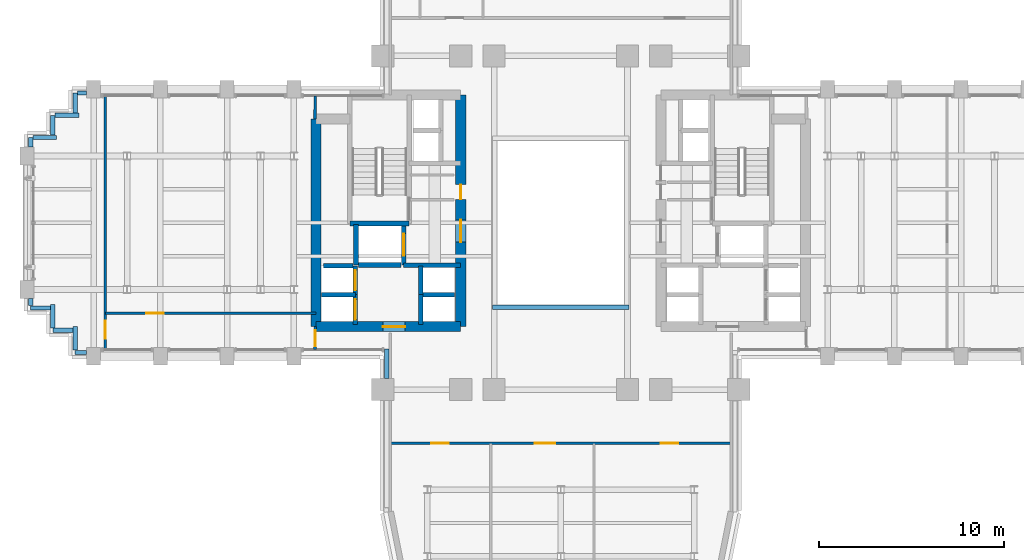
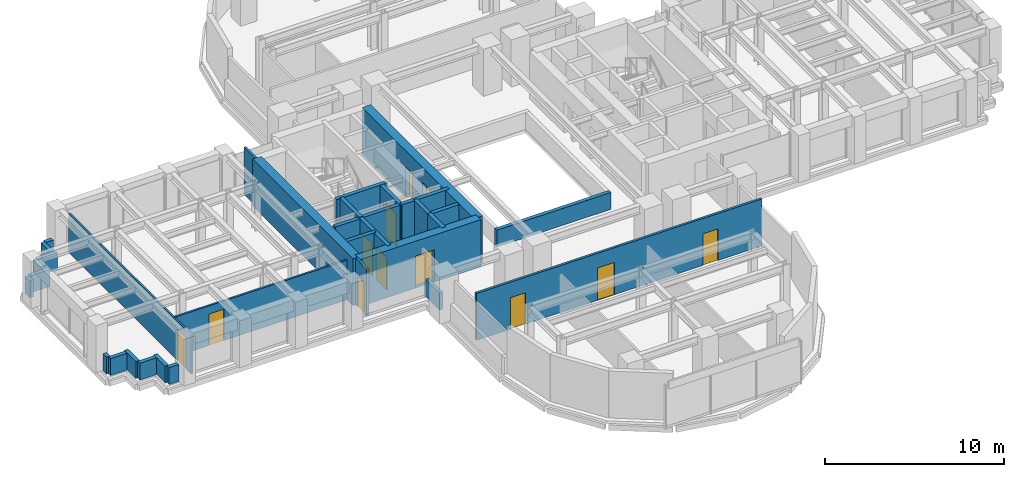
# One storey, part 10 of 16: 34 walls, 12 doors, 12 openings.
"""IFC4 building model written with IfcOpenShell, lengths in metres."""

from ifc_helpers import new_model, si_unit, direction, frame, frame_2d, origin, place, context, subcontext, project, spatial, rectangle, extrude, source, transform, mapped, material, layer, layer_set, type_object, element, fill, save


model = new_model("IFC4")

# Units and contexts
model_context = context("Model", 3, precision=1e-05, world=origin(), true_north=direction((0.0, 1.0)))
body_context = subcontext(model_context, "Body", "Model", "MODEL_VIEW")
ifc_project = project(units=[si_unit("LENGTHUNIT", "METRE"), si_unit("AREAUNIT", "SQUARE_METRE"), si_unit("VOLUMEUNIT", "CUBIC_METRE"), si_unit("PLANEANGLEUNIT", "RADIAN"), si_unit("MASSUNIT", "GRAM", prefix="KILO")], contexts=[model_context])

# Site, building, storey
site_placement = place(None, origin())
site = spatial("IfcSite", under=ifc_project, at=site_placement, CompositionType="ELEMENT")
building_placement = place(site_placement, origin())
building = spatial("IfcBuilding", under=site, at=building_placement, Name="Keilestroom Media Tower", CompositionType="ELEMENT")
storey_placement = place(building_placement, frame((0.0, 0.0, 57.800048828125)))
storey = spatial("IfcBuildingStorey", under=building, at=storey_placement, Name="L14", CompositionType="ELEMENT", Elevation=57.800048828125)

# Wall, opening, door
ifc_material_1 = material(Name="Gypsum Plasterboard & Steel Stud", Category="steel")
ifc_layer_1 = layer(ifc_material_1, 0.1201171875)
ifc_layer_set_1 = layer_set([ifc_layer_1], Name="Gypsum Plasterboard & Steel Stud")
wall_type_1 = type_object("IfcWallType", Name="Interior-Partition-Wall-120", PredefinedType="PARTITIONING", material=ifc_layer_set_1)
wall_1_placement = place(storey_placement, frame((-24.570068359375, -4.8798828125, 0.0), z_axis=(0.0, 0.0, 1.0), x_axis=(1.0, 0.0, 0.0)))
wall_1 = element("IfcWall", 1, at=wall_1_placement, inside=storey, type_object=wall_type_1, Name="L14 Interior Wall WP-L14-WA-CN", PredefinedType="PARTITIONING", context=body_context, shape_type="SweptSolid", body=[
    extrude(rectangle(XDim=11.3701171875, YDim=0.1201171875, at=frame_2d((5.68505859375, 0.0))), origin(), (0.0, 0.0, 1.0), 2.699951171875),
])
opening_1_placement = place(wall_1_placement, frame((2.199951171875, 0.0, 0.0)))
opening_1 = element("IfcOpeningElement", 2, at=opening_1_placement, cuts=wall_1, Name="Opening DI-03", PredefinedType="OPENING", context=body_context, shape_type="SweptSolid", body=[
    extrude(rectangle(XDim=0.949951171875, YDim=2.14990234375, at=frame_2d((0.47509765625, 1.074951171875))), frame((0.0, 0.070068359375, 0.0), z_axis=(0.0, -1.0, 0.0), x_axis=(1.0, 0.0, 0.0)), (0.0, 0.0, 1.0), 0.14013671875),
])
ifc_material_2 = material(Name="Lacquered European Oak Leaf", Category="wood")
door_type_1 = type_object("IfcDoorType", Name="Interior-Room-And-Suite-Door-DI-03", OperationType="NOTDEFINED", PredefinedType="DOOR", material=ifc_material_2)
shared_shape_1 = source(origin(), body_context, "Body", "SweptSolid", [
    extrude(rectangle(XDim=0.949951171875, YDim=2.14990234375, at=frame_2d((0.47509765625, 1.074951171875))), frame((0.0, 0.02490234375, 0.0), z_axis=(0.0, -1.0, 0.0), x_axis=(1.0, 0.0, 0.0)), (0.0, 0.0, 1.0), 0.050048828125),
])
door_1_placement = place(opening_1_placement, origin())
door_1 = element("IfcDoor", 3, at=door_1_placement, inside=storey, type_object=door_type_1, Name="L14 Interior Door DI-L14-DWA-RN", OperationType="SINGLE_SWING_RIGHT", OverallHeight=2.14990234375, OverallWidth=0.949951171875, PredefinedType="DOOR", context=body_context, shape_type="MappedRepresentation", body=[
    mapped(shared_shape_1, transform((0.0, 0.0, 0.0), x_axis=(1.0, 0.0, 0.0), y_axis=(0.0, 1.0, 0.0), z_axis=(0.0, 0.0, 1.0), scale=1.0)),
])
fill(opening_1, door_1)

wall_2_placement = place(storey_placement, frame((-24.570068359375, -6.85009765625, 0.0), z_axis=(0.0, 0.0, 1.0), x_axis=(0.0, 1.0, 0.0)))
wall_2 = element("IfcWall", 4, at=wall_2_placement, inside=storey, type_object=wall_type_1, Name="L14 Interior Wall WP-L14-WA-CE", PredefinedType="PARTITIONING", context=body_context, shape_type="SweptSolid", body=[
    extrude(rectangle(XDim=13.7001953125, YDim=0.1201171875, at=frame_2d((6.85009765625, 0.0))), origin(), (0.0, 0.0, 1.0), 2.64990234375),
])
opening_2_placement = place(wall_2_placement, frame((0.60009765625, 0.0, 0.0)))
opening_2 = element("IfcOpeningElement", 5, at=opening_2_placement, cuts=wall_2, Name="Opening DI-03", PredefinedType="OPENING", context=body_context, shape_type="SweptSolid", body=[
    extrude(rectangle(XDim=0.949951171875, YDim=2.14990234375, at=frame_2d((0.47509765625, 1.074951171875))), frame((0.0, 0.070068359375, 0.0), z_axis=(0.0, -1.0, 0.0), x_axis=(1.0, 0.0, 0.0)), (0.0, 0.0, 1.0), 0.14013671875),
])
door_2_placement = place(opening_2_placement, origin())
door_2 = element("IfcDoor", 6, at=door_2_placement, inside=storey, type_object=door_type_1, Name="L14 Interior Door DI-L14-DWA-END", OperationType="SINGLE_SWING_LEFT", OverallHeight=2.14990234375, OverallWidth=0.949951171875, PredefinedType="DOOR", context=body_context, shape_type="MappedRepresentation", body=[
    mapped(shared_shape_1, transform((0.0, 0.0, 0.0), x_axis=(1.0, 0.0, 0.0), y_axis=(0.0, 1.0, 0.0), z_axis=(0.0, 0.0, 1.0), scale=1.0)),
])
fill(opening_2, door_2)

# Wall, openings, doors
ifc_layer_2 = layer(ifc_material_1, 0.14990234375)
ifc_layer_set_2 = layer_set([ifc_layer_2], Name="Gypsum Plasterboard & Steel Stud")
wall_type_2 = type_object("IfcWallType", Name="Interior-Partition-Wall-150", PredefinedType="PARTITIONING", material=ifc_layer_set_2)
wall_3_placement = place(storey_placement, frame((-9.199951171875, -11.89990234375, 0.0), z_axis=(0.0, 0.0, 1.0), x_axis=(1.0, 0.0, 0.0)))
wall_3 = element("IfcWall", 7, at=wall_3_placement, inside=storey, type_object=wall_type_2, Name="L14 Interior Wall WP-L14-SL-BASE", PredefinedType="PARTITIONING", context=body_context, shape_type="SweptSolid", body=[
    extrude(rectangle(XDim=18.39990234375, YDim=0.14990234375, at=frame_2d((9.199951171875, 0.0))), origin(), (0.0, 0.0, 1.0), 3.199951171875),
])
opening_3_placement = place(wall_3_placement, frame((2.199951171875, 0.0, 0.0)))
opening_3 = element("IfcOpeningElement", 8, at=opening_3_placement, cuts=wall_3, Name="Opening DI-03", PredefinedType="OPENING", context=body_context, shape_type="SweptSolid", body=[
    extrude(rectangle(XDim=0.949951171875, YDim=2.14990234375, at=frame_2d((0.47509765625, 1.074951171875))), frame((0.0, 0.0849609375, 0.0), z_axis=(0.0, -1.0, 0.0), x_axis=(1.0, 0.0, 0.0)), (0.0, 0.0, 1.0), 0.169921875),
])
opening_4_placement = place(wall_3_placement, frame((7.800048828125, 0.0, 0.0)))
opening_4 = element("IfcOpeningElement", 9, at=opening_4_placement, cuts=wall_3, Name="Opening DI-04", PredefinedType="OPENING", context=body_context, shape_type="SweptSolid", body=[
    extrude(rectangle(XDim=1.10009765625, YDim=2.199951171875, at=frame_2d((0.550048828125, 1.10009765625))), frame((0.0, 0.0849609375, 0.0), z_axis=(0.0, -1.0, 0.0), x_axis=(1.0, 0.0, 0.0)), (0.0, 0.0, 1.0), 0.169921875),
])
opening_5_placement = place(wall_3_placement, frame((14.60009765625, 0.0, 0.0)))
opening_5 = element("IfcOpeningElement", 10, at=opening_5_placement, cuts=wall_3, Name="Opening DI-03", PredefinedType="OPENING", context=body_context, shape_type="SweptSolid", body=[
    extrude(rectangle(XDim=0.949951171875, YDim=2.14990234375, at=frame_2d((0.47509765625, 1.074951171875))), frame((0.0, 0.0849609375, 0.0), z_axis=(0.0, -1.0, 0.0), x_axis=(1.0, 0.0, 0.0)), (0.0, 0.0, 1.0), 0.169921875),
])
door_3_placement = place(opening_3_placement, origin())
door_3 = element("IfcDoor", 11, at=door_3_placement, inside=storey, type_object=door_type_1, Name="L14 Interior Door DI-L14-DSL-1", OperationType="SINGLE_SWING_LEFT", OverallHeight=2.14990234375, OverallWidth=0.949951171875, PredefinedType="DOOR", context=body_context, shape_type="MappedRepresentation", body=[
    mapped(shared_shape_1, transform((0.0, 0.0, 0.0), x_axis=(1.0, 0.0, 0.0), y_axis=(0.0, 1.0, 0.0), z_axis=(0.0, 0.0, 1.0), scale=1.0)),
])
fill(opening_3, door_3)
door_4_placement = place(opening_5_placement, origin())
door_4 = element("IfcDoor", 12, at=door_4_placement, inside=storey, type_object=door_type_1, Name="L14 Interior Door DI-L14-DSL-3", OperationType="SINGLE_SWING_LEFT", OverallHeight=2.14990234375, OverallWidth=0.949951171875, PredefinedType="DOOR", context=body_context, shape_type="MappedRepresentation", body=[
    mapped(shared_shape_1, transform((0.0, 0.0, 0.0), x_axis=(1.0, 0.0, 0.0), y_axis=(0.0, 1.0, 0.0), z_axis=(0.0, 0.0, 1.0), scale=1.0)),
])
fill(opening_5, door_4)
ifc_material_3 = material(Name="Acoustic Glazed Aluminium Leaf", Category="aluminium")
door_type_2 = type_object("IfcDoorType", Name="Interior-Room-And-Suite-Door-DI-04", OperationType="NOTDEFINED", PredefinedType="DOOR", material=ifc_material_3)
shared_shape_2 = source(origin(), body_context, "Body", "SweptSolid", [
    extrude(rectangle(XDim=1.10009765625, YDim=2.199951171875, at=frame_2d((0.550048828125, 1.10009765625))), frame((0.0, 0.02490234375, 0.0), z_axis=(0.0, -1.0, 0.0), x_axis=(1.0, 0.0, 0.0)), (0.0, 0.0, 1.0), 0.050048828125),
])
door_5_placement = place(opening_4_placement, origin())
door_5 = element("IfcDoor", 13, at=door_5_placement, inside=storey, type_object=door_type_2, Name="L14 Interior Door DI-L14-DSL-2", OperationType="SINGLE_SWING_RIGHT", OverallHeight=2.199951171875, OverallWidth=1.10009765625, PredefinedType="DOOR", context=body_context, shape_type="MappedRepresentation", body=[
    mapped(shared_shape_2, transform((0.0, 0.0, 0.0), x_axis=(1.0, 0.0, 0.0), y_axis=(0.0, 1.0, 0.0), z_axis=(0.0, 0.0, 1.0), scale=1.0)),
])
fill(opening_4, door_5)

# Wall
wall_4_placement = place(storey_placement, frame((-13.260009765625, 5.60009765625, 0.0), z_axis=(0.0, 0.0, 1.0), x_axis=(0.016013571389, 0.999871774545, 0.0)))
element("IfcWall", 14, at=wall_4_placement, inside=storey, type_object=wall_type_2, Name="L14 Interior Wall WP-L14-WA-ENTN", PredefinedType="PARTITIONING", context=body_context, shape_type="SweptSolid", body=[
    extrude(rectangle(XDim=1.250244140625, YDim=0.14990234375, at=frame_2d((0.625, 0.0))), origin(), (0.0, 0.0, 1.0), 3.199951171875),
])

# Wall, opening, door
wall_5_placement = place(storey_placement, frame((-13.260009765625, -6.85009765625, 0.0), z_axis=(0.0, 0.0, 1.0), x_axis=(0.016013571389, 0.999871774545, 0.0)))
wall_5 = element("IfcWall", 15, at=wall_5_placement, inside=storey, type_object=wall_type_2, Name="L14 Interior Wall WP-L14-WA-ENTS", PredefinedType="PARTITIONING", context=body_context, shape_type="SweptSolid", body=[
    extrude(rectangle(XDim=1.250244140625, YDim=0.14990234375, at=frame_2d((0.625, 0.0))), origin(), (0.0, 0.0, 1.0), 3.199951171875),
])
opening_6_placement = place(wall_5_placement, frame((0.199951171875, 0.0, 0.0)))
opening_6 = element("IfcOpeningElement", 16, at=opening_6_placement, cuts=wall_5, Name="Opening DI-05", PredefinedType="OPENING", context=body_context, shape_type="SweptSolid", body=[
    extrude(rectangle(XDim=0.85009765625, YDim=2.10009765625, at=frame_2d((0.425048828125, 1.050048828125))), frame((0.0, 0.0849609375, 0.0), z_axis=(0.0, -1.0, 0.0), x_axis=(1.0, 0.0, 0.0)), (0.0, 0.0, 1.0), 0.169921875),
])
ifc_material_4 = material(Name="Moisture-Resistant Oak Leaf", Category="wood")
door_type_3 = type_object("IfcDoorType", Name="Interior-En-Suite-And-Cupboard-Door-DI-05", OperationType="NOTDEFINED", PredefinedType="DOOR", material=ifc_material_4)
shared_shape_3 = source(origin(), body_context, "Body", "SweptSolid", [
    extrude(rectangle(XDim=0.85009765625, YDim=2.10009765625, at=frame_2d((0.425048828125, 1.050048828125))), frame((0.0, 0.02490234375, 0.0), z_axis=(0.0, -1.0, 0.0), x_axis=(1.0, 0.0, 0.0)), (0.0, 0.0, 1.0), 0.050048828125),
])
door_6_placement = place(opening_6_placement, origin())
door_6 = element("IfcDoor", 17, at=door_6_placement, inside=storey, type_object=door_type_3, Name="L14 Interior Door DI-L14-DWA-ENTS", OperationType="SINGLE_SWING_RIGHT", OverallHeight=2.10009765625, OverallWidth=0.85009765625, PredefinedType="DOOR", context=body_context, shape_type="MappedRepresentation", body=[
    mapped(shared_shape_3, transform((0.0, 0.0, 0.0), x_axis=(1.0, 0.0, 0.0), y_axis=(0.0, 1.0, 0.0), z_axis=(0.0, 0.0, 1.0), scale=1.0)),
])
fill(opening_6, door_6)

# Wall
ifc_material_5 = material(Name="Concrete C70/85", Category="concrete")
ifc_layer_3 = layer(ifc_material_5, 0.550048828125)
ifc_layer_set_3 = layer_set([ifc_layer_3], Name="Concrete C70/85")
wall_type_3 = type_object("IfcWallType", Name="Reinforced-Concrete-Core-Shear-Wall-550", PredefinedType="SHEAR", material=ifc_layer_set_3)
wall_6_placement = place(storey_placement, frame((-13.199951171875, -5.60009765625, 0.0), z_axis=(0.0, 0.0, 1.0), x_axis=(0.0, 1.0, 0.0)))
element("IfcWall", 18, at=wall_6_placement, inside=storey, type_object=wall_type_3, Name="L14 Core Shear Wall WL-L14-CORE-W-OUT", PredefinedType="SHEAR", context=body_context, shape_type="SweptSolid", body=[
    extrude(rectangle(XDim=11.2001953125, YDim=0.550048828125, at=frame_2d((5.60009765625, 0.0))), origin(), (0.0, 0.0, 1.0), 3.199951171875),
])

# Wall, openings, doors
wall_7_placement = place(storey_placement, frame((-5.39990234375, -5.60009765625, 0.0), z_axis=(0.0, 0.0, 1.0), x_axis=(0.0, 1.0, 0.0)))
wall_7 = element("IfcWall", 19, at=wall_7_placement, inside=storey, type_object=wall_type_3, Name="L14 Core Shear Wall WL-L14-CORE-W-IN", PredefinedType="SHEAR", context=body_context, shape_type="SweptSolid", body=[
    extrude(rectangle(XDim=12.5, YDim=0.550048828125, at=frame_2d((6.25, 0.0))), origin(), (0.0, 0.0, 1.0), 3.199951171875),
])
opening_7_placement = place(wall_7_placement, frame((4.550048828125, 0.0, 0.0)))
opening_7 = element("IfcOpeningElement", 20, at=opening_7_placement, cuts=wall_7, Name="Opening DI-02", PredefinedType="OPENING", context=body_context, shape_type="SweptSolid", body=[
    extrude(rectangle(XDim=1.199951171875, YDim=2.199951171875, at=frame_2d((0.60009765625, 1.10009765625))), frame((0.0, 0.28515625, 0.0), z_axis=(0.0, -1.0, 0.0), x_axis=(1.0, 0.0, 0.0)), (0.0, 0.0, 1.0), 0.570068359375),
])
opening_8_placement = place(wall_7_placement, frame((6.860107421875, 0.0, 0.0)))
opening_8 = element("IfcOpeningElement", 21, at=opening_8_placement, cuts=wall_7, Name="Opening DI-06", PredefinedType="OPENING", context=body_context, shape_type="SweptSolid", body=[
    extrude(rectangle(XDim=0.800048828125, YDim=2.10009765625, at=frame_2d((0.39990234375, 1.050048828125))), frame((0.0, 0.28515625, 0.0), z_axis=(0.0, -1.0, 0.0), x_axis=(1.0, 0.0, 0.0)), (0.0, 0.0, 1.0), 0.570068359375),
])
ifc_material_6 = material(Name="Powder-Coated Steel Fire Leaf", Category="steel")
door_type_4 = type_object("IfcDoorType", Name="Interior-Compartment-Fire-Door-DI-02", OperationType="NOTDEFINED", PredefinedType="DOOR", material=ifc_material_6)
shared_shape_4 = source(origin(), body_context, "Body", "SweptSolid", [
    extrude(rectangle(XDim=1.199951171875, YDim=2.199951171875, at=frame_2d((0.60009765625, 1.10009765625))), frame((0.0, 0.02490234375, 0.0), z_axis=(0.0, -1.0, 0.0), x_axis=(1.0, 0.0, 0.0)), (0.0, 0.0, 1.0), 0.050048828125),
])
door_7_placement = place(opening_7_placement, origin())
door_7 = element("IfcDoor", 22, at=door_7_placement, inside=storey, type_object=door_type_4, Name="L14 W Firefighting Lobby Door", OperationType="SINGLE_SWING_RIGHT", OverallHeight=2.199951171875, OverallWidth=1.199951171875, PredefinedType="DOOR", context=body_context, shape_type="MappedRepresentation", body=[
    mapped(shared_shape_4, transform((0.0, 0.0, 0.0), x_axis=(1.0, 0.0, 0.0), y_axis=(0.0, 1.0, 0.0), z_axis=(0.0, 0.0, 1.0), scale=1.0)),
])
fill(opening_7, door_7)
ifc_material_7 = material(Name="Powder-Coated Steel Service Leaf", Category="steel")
door_type_5 = type_object("IfcDoorType", Name="Interior-Riser-Access-Door-DI-06", OperationType="NOTDEFINED", PredefinedType="DOOR", material=ifc_material_7)
shared_shape_5 = source(origin(), body_context, "Body", "SweptSolid", [
    extrude(rectangle(XDim=0.800048828125, YDim=2.10009765625, at=frame_2d((0.39990234375, 1.050048828125))), frame((0.0, 0.02490234375, 0.0), z_axis=(0.0, -1.0, 0.0), x_axis=(1.0, 0.0, 0.0)), (0.0, 0.0, 1.0), 0.050048828125),
])
door_8_placement = place(opening_8_placement, origin())
door_8 = element("IfcDoor", 23, at=door_8_placement, inside=storey, type_object=door_type_5, Name="L14 West Core Switchroom Door", OperationType="SINGLE_SWING_LEFT", OverallHeight=2.10009765625, OverallWidth=0.800048828125, PredefinedType="DOOR", context=body_context, shape_type="MappedRepresentation", body=[
    mapped(shared_shape_5, transform((0.0, 0.0, 0.0), x_axis=(1.0, 0.0, 0.0), y_axis=(0.0, 1.0, 0.0), z_axis=(0.0, 0.0, 1.0), scale=1.0)),
])
fill(opening_8, door_8)

# Wall, opening, door
wall_8_placement = place(storey_placement, frame((-13.199951171875, -5.60009765625, 0.0), z_axis=(0.0, 0.0, 1.0), x_axis=(1.0, 0.0, 0.0)))
wall_8 = element("IfcWall", 24, at=wall_8_placement, inside=storey, type_object=wall_type_3, Name="L14 Core Shear Wall WL-L14-CORE-W-S", PredefinedType="SHEAR", context=body_context, shape_type="SweptSolid", body=[
    extrude(rectangle(XDim=7.800048828125, YDim=0.550048828125, at=frame_2d((3.89990234375, 0.0))), origin(), (0.0, 0.0, 1.0), 3.199951171875),
])
opening_9_placement = place(wall_8_placement, frame((3.60009765625, 0.0, 0.0)))
opening_9 = element("IfcOpeningElement", 25, at=opening_9_placement, cuts=wall_8, Name="Opening DI-02", PredefinedType="OPENING", context=body_context, shape_type="SweptSolid", body=[
    extrude(rectangle(XDim=1.199951171875, YDim=2.199951171875, at=frame_2d((0.60009765625, 1.10009765625))), frame((0.0, 0.28515625, 0.0), z_axis=(0.0, -1.0, 0.0), x_axis=(1.0, 0.0, 0.0)), (0.0, 0.0, 1.0), 0.570068359375),
])
door_9_placement = place(opening_9_placement, origin())
door_9 = element("IfcDoor", 26, at=door_9_placement, inside=storey, type_object=door_type_4, Name="L14 W Passenger Lift Lobby Door", OperationType="SINGLE_SWING_LEFT", OverallHeight=2.199951171875, OverallWidth=1.199951171875, PredefinedType="DOOR", context=body_context, shape_type="MappedRepresentation", body=[
    mapped(shared_shape_4, transform((0.0, 0.0, 0.0), x_axis=(1.0, 0.0, 0.0), y_axis=(0.0, 1.0, 0.0), z_axis=(0.0, 0.0, 1.0), scale=1.0)),
])
fill(opening_9, door_9)

# Walls
ifc_material_8 = material(Name="Concrete C50/60", Category="concrete")
ifc_layer_4 = layer(ifc_material_8, 0.25)
ifc_layer_set_4 = layer_set([ifc_layer_4], Name="Concrete C50/60")
wall_type_4 = type_object("IfcWallType", Name="Reinforced-Concrete-Shaft-Wall-250", PredefinedType="SOLIDWALL", material=ifc_layer_set_4)
wall_9_placement = place(storey_placement, frame((-8.47998046875, -2.300048828125, 0.0), z_axis=(0.0, 0.0, 1.0), x_axis=(1.0, 0.0, 0.0)))
element("IfcWall", 27, at=wall_9_placement, inside=storey, type_object=wall_type_4, Name="L14 Core Shear Wall WL-L14-CORE-W-FFS", PredefinedType="SOLIDWALL", context=body_context, shape_type="SweptSolid", body=[
    extrude(rectangle(XDim=3.080078125, YDim=0.25, at=frame_2d((1.5400390625, 0.0))), origin(), (0.0, 0.0, 1.0), 3.199951171875),
])
wall_10_placement = place(storey_placement, frame((-11.381103515625, -0.041015625, 0.0), z_axis=(0.0, 0.0, 1.0), x_axis=(1.0, 0.0, 0.0)))
element("IfcWall", 28, at=wall_10_placement, inside=storey, type_object=wall_type_4, Name="L14 Core Shear Wall WL-L14-STW-W-S", PredefinedType="SOLIDWALL", context=body_context, shape_type="SweptSolid", body=[
    extrude(rectangle(XDim=3.2021484375, YDim=0.25, at=frame_2d((1.60107421875, 0.0))), origin(), (0.0, 0.0, 1.0), 3.199951171875),
])
wall_11_placement = place(storey_placement, frame((-11.050048828125, -2.280029296875, 0.0), z_axis=(0.0, 0.0, 1.0), x_axis=(0.0, 1.0, 0.0)))
element("IfcWall", 29, at=wall_11_placement, inside=storey, type_object=wall_type_4, Name="L14 Core Shear Wall WL-L14-LSH-FFL-1-W", PredefinedType="SOLIDWALL", context=body_context, shape_type="SweptSolid", body=[
    extrude(rectangle(XDim=2.179931640625, YDim=0.25, at=frame_2d((1.08984375, 0.0))), origin(), (0.0, 0.0, 1.0), 3.199951171875),
])

# Wall, opening, door
wall_12_placement = place(storey_placement, frame((-8.47998046875, -2.280029296875, 0.0), z_axis=(0.0, 0.0, 1.0), x_axis=(0.0, 1.0, 0.0)))
wall_12 = element("IfcWall", 30, at=wall_12_placement, inside=storey, type_object=wall_type_4, Name="L14 Core Shear Wall WL-L14-LSH-FFL-1-E", PredefinedType="SOLIDWALL", context=body_context, shape_type="SweptSolid", body=[
    extrude(rectangle(XDim=2.179931640625, YDim=0.25, at=frame_2d((1.08984375, 0.0))), origin(), (0.0, 0.0, 1.0), 3.199951171875),
])
opening_10_placement = place(wall_12_placement, frame((0.489990234375, 0.0, 0.0)))
opening_10 = element("IfcOpeningElement", 31, at=opening_10_placement, cuts=wall_12, Name="Opening LD-02", PredefinedType="OPENING", context=body_context, shape_type="SweptSolid", body=[
    extrude(rectangle(XDim=1.199951171875, YDim=2.199951171875, at=frame_2d((0.60009765625, 1.10009765625))), frame((0.0, 0.135009765625, 0.0), z_axis=(0.0, -1.0, 0.0), x_axis=(1.0, 0.0, 0.0)), (0.0, 0.0, 1.0), 0.27001953125),
])
ifc_material_9 = material(Name="Brushed Stainless Steel Sliding Leaf", Category="steel")
door_type_6 = type_object("IfcDoorType", Name="Lift-Landing-Sliding-Door-LD-02", OperationType="SLIDING_TO_RIGHT", PredefinedType="DOOR", material=ifc_material_9)
door_10_placement = place(opening_10_placement, origin())
door_10 = element("IfcDoor", 32, at=door_10_placement, inside=storey, type_object=door_type_6, Name="L14 Lift FFL-1 Landing Sliding Door", OperationType="SLIDING_TO_RIGHT", OverallHeight=2.199951171875, OverallWidth=1.199951171875, PredefinedType="DOOR", context=body_context, shape_type="MappedRepresentation", body=[
    mapped(shared_shape_4, transform((0.0, 0.0, 0.0), x_axis=(1.0, 0.0, 0.0), y_axis=(0.0, 1.0, 0.0), z_axis=(0.0, 0.0, 1.0), scale=1.0)),
])
fill(opening_10, door_10)

# Wall
wall_13_placement = place(storey_placement, frame((-10.9208984375, -2.280029296875, 0.0), z_axis=(0.0, 0.0, 1.0), x_axis=(1.0, 0.0, 0.0)))
element("IfcWall", 33, at=wall_13_placement, inside=storey, type_object=wall_type_4, Name="L14 Core Shear Wall WL-L14-LSH-FFL-1-S", PredefinedType="SOLIDWALL", context=body_context, shape_type="SweptSolid", body=[
    extrude(rectangle(XDim=2.31201171875, YDim=0.25, at=frame_2d((1.156005859375, 0.0))), origin(), (0.0, 0.0, 1.0), 3.199951171875),
])

# Wall, opening, door
wall_14_placement = place(storey_placement, frame((-11.080078125, -5.47998046875, 0.0), z_axis=(0.0, 0.0, 1.0), x_axis=(0.0, 1.0, 0.0)))
wall_14 = element("IfcWall", 34, at=wall_14_placement, inside=storey, type_object=wall_type_4, Name="L14 Core Shear Wall WL-L14-LSH-PL-L1-E", PredefinedType="SOLIDWALL", context=body_context, shape_type="SweptSolid", body=[
    extrude(rectangle(XDim=1.60009765625, YDim=0.25, at=frame_2d((0.800048828125, 0.0))), origin(), (0.0, 0.0, 1.0), 3.199951171875),
])
opening_11_placement = place(wall_14_placement, frame((0.25, 0.0, 0.0)))
opening_11 = element("IfcOpeningElement", 35, at=opening_11_placement, cuts=wall_14, Name="Opening LD-01", PredefinedType="OPENING", context=body_context, shape_type="SweptSolid", body=[
    extrude(rectangle(XDim=1.10009765625, YDim=2.199951171875, at=frame_2d((0.550048828125, 1.10009765625))), frame((0.0, 0.135009765625, 0.0), z_axis=(0.0, -1.0, 0.0), x_axis=(1.0, 0.0, 0.0)), (0.0, 0.0, 1.0), 0.27001953125),
])
door_type_7 = type_object("IfcDoorType", Name="Lift-Landing-Sliding-Door-LD-01", OperationType="SLIDING_TO_LEFT", PredefinedType="DOOR", material=ifc_material_9)
door_11_placement = place(opening_11_placement, origin())
door_11 = element("IfcDoor", 36, at=door_11_placement, inside=storey, type_object=door_type_7, Name="L14 Lift PL-L1 Landing Sliding Door", OperationType="SLIDING_TO_LEFT", OverallHeight=2.199951171875, OverallWidth=1.10009765625, PredefinedType="DOOR", context=body_context, shape_type="MappedRepresentation", body=[
    mapped(shared_shape_2, transform((0.0, 0.0, 0.0), x_axis=(1.0, 0.0, 0.0), y_axis=(0.0, 1.0, 0.0), z_axis=(0.0, 0.0, 1.0), scale=1.0)),
])
fill(opening_11, door_11)

# Wall
wall_15_placement = place(storey_placement, frame((-12.919921875, -3.8798828125, 0.0), z_axis=(0.0, 0.0, 1.0), x_axis=(1.0, 0.0, 0.0)))
element("IfcWall", 37, at=wall_15_placement, inside=storey, type_object=wall_type_4, Name="L14 Core Shear Wall WL-L14-LSH-PL-L1-N", PredefinedType="SOLIDWALL", context=body_context, shape_type="SweptSolid", body=[
    extrude(rectangle(XDim=1.83984375, YDim=0.25, at=frame_2d((0.919921875, 0.0))), origin(), (0.0, 0.0, 1.0), 3.199951171875),
])

# Wall, opening, door
wall_16_placement = place(storey_placement, frame((-11.080078125, -3.8798828125, 0.0), z_axis=(0.0, 0.0, 1.0), x_axis=(0.0, 1.0, 0.0)))
wall_16 = element("IfcWall", 38, at=wall_16_placement, inside=storey, type_object=wall_type_4, Name="L14 Core Shear Wall WL-L14-LSH-PL-L2-E", PredefinedType="SOLIDWALL", context=body_context, shape_type="SweptSolid", body=[
    extrude(rectangle(XDim=1.559814453125, YDim=0.25, at=frame_2d((0.77978515625, 0.0))), origin(), (0.0, 0.0, 1.0), 3.199951171875),
])
opening_12_placement = place(wall_16_placement, frame((0.22998046875, 0.0, 0.0)))
opening_12 = element("IfcOpeningElement", 39, at=opening_12_placement, cuts=wall_16, Name="Opening LD-01", PredefinedType="OPENING", context=body_context, shape_type="SweptSolid", body=[
    extrude(rectangle(XDim=1.10009765625, YDim=2.199951171875, at=frame_2d((0.550048828125, 1.10009765625))), frame((0.0, 0.135009765625, 0.0), z_axis=(0.0, -1.0, 0.0), x_axis=(1.0, 0.0, 0.0)), (0.0, 0.0, 1.0), 0.27001953125),
])
door_12_placement = place(opening_12_placement, origin())
door_12 = element("IfcDoor", 40, at=door_12_placement, inside=storey, type_object=door_type_7, Name="L14 Lift PL-L2 Landing Sliding Door", OperationType="SLIDING_TO_LEFT", OverallHeight=2.199951171875, OverallWidth=1.10009765625, PredefinedType="DOOR", context=body_context, shape_type="MappedRepresentation", body=[
    mapped(shared_shape_2, transform((0.0, 0.0, 0.0), x_axis=(1.0, 0.0, 0.0), y_axis=(0.0, 1.0, 0.0), z_axis=(0.0, 0.0, 1.0), scale=1.0)),
])
fill(opening_12, door_12)

# Walls
wall_17_placement = place(storey_placement, frame((-12.791015625, -2.320068359375, 0.0), z_axis=(0.0, 0.0, 1.0), x_axis=(1.0, 0.0, 0.0)))
element("IfcWall", 41, at=wall_17_placement, inside=storey, type_object=wall_type_4, Name="L14 Core Shear Wall WL-L14-LSH-PL-L2-N", PredefinedType="SOLIDWALL", context=body_context, shape_type="SweptSolid", body=[
    extrude(rectangle(XDim=1.58203125, YDim=0.25, at=frame_2d((0.791015625, 0.0))), origin(), (0.0, 0.0, 1.0), 3.199951171875),
])
wall_18_placement = place(storey_placement, frame((-7.56005859375, -5.47998046875, 0.0), z_axis=(0.0, 0.0, 1.0), x_axis=(0.0, 1.0, 0.0)))
element("IfcWall", 42, at=wall_18_placement, inside=storey, type_object=wall_type_4, Name="L14 Core Shear Wall WL-L14-LSH-PL-M1-W", PredefinedType="SOLIDWALL", context=body_context, shape_type="SweptSolid", body=[
    extrude(rectangle(XDim=1.60009765625, YDim=0.25, at=frame_2d((0.800048828125, 0.0))), origin(), (0.0, 0.0, 1.0), 3.199951171875),
])
wall_19_placement = place(storey_placement, frame((-7.56005859375, -3.8798828125, 0.0), z_axis=(0.0, 0.0, 1.0), x_axis=(1.0, 0.0, 0.0)))
element("IfcWall", 43, at=wall_19_placement, inside=storey, type_object=wall_type_4, Name="L14 Core Shear Wall WL-L14-LSH-PL-M1-N", PredefinedType="SOLIDWALL", context=body_context, shape_type="SweptSolid", body=[
    extrude(rectangle(XDim=1.840087890625, YDim=0.25, at=frame_2d((0.919921875, 0.0))), origin(), (0.0, 0.0, 1.0), 3.199951171875),
])
wall_20_placement = place(storey_placement, frame((-7.56005859375, -3.8798828125, 0.0), z_axis=(0.0, 0.0, 1.0), x_axis=(0.0, 1.0, 0.0)))
element("IfcWall", 44, at=wall_20_placement, inside=storey, type_object=wall_type_4, Name="L14 Core Shear Wall WL-L14-LSH-PL-M2-W", PredefinedType="SOLIDWALL", context=body_context, shape_type="SweptSolid", body=[
    extrude(rectangle(XDim=1.559814453125, YDim=0.25, at=frame_2d((0.77978515625, 0.0))), origin(), (0.0, 0.0, 1.0), 3.199951171875),
])
ifc_material_10 = material(Name="Precast concrete C40/50", Category="concrete")
ifc_layer_5 = layer(ifc_material_10, 0.239990234375)
ifc_layer_set_5 = layer_set([ifc_layer_5], Name="Precast concrete C40/50")
wall_type_5 = type_object("IfcWallType", Name="Roof-And-Terrace-Parapet-Wall-240", PredefinedType="PARAPET", material=ifc_layer_set_5)
wall_21_placement = place(storey_placement, frame((-9.39990234375, -8.39697265625, 0.0), z_axis=(0.0, 0.0, 1.0), x_axis=(0.0, 1.0, 0.0)))
element("IfcWall", 45, at=wall_21_placement, inside=storey, type_object=wall_type_5, Name="L14 Perimeter Edge Parapet Wall 11", PredefinedType="PARAPET", context=body_context, shape_type="SweptSolid", body=[
    extrude(rectangle(XDim=1.578125, YDim=0.239990234375, at=frame_2d((0.7890625, 0.0))), origin(), (0.0, 0.0, 1.0), 1.14990234375),
])
wall_22_placement = place(storey_placement, frame((-25.577880859375, -7.0, 0.0), z_axis=(0.0, 0.0, 1.0), x_axis=(-1.0, 0.0, 0.0)))
element("IfcWall", 46, at=wall_22_placement, inside=storey, type_object=wall_type_5, Name="L14 Perimeter Edge Parapet Wall 12", PredefinedType="PARAPET", context=body_context, shape_type="SweptSolid", body=[
    extrude(rectangle(XDim=0.6220703125, YDim=0.239990234375, at=frame_2d((0.31103515625, 0.0))), origin(), (0.0, 0.0, 1.0), 1.14990234375),
])
wall_23_placement = place(storey_placement, frame((-26.199951171875, -6.876953125, 0.0), z_axis=(0.0, 0.0, 1.0), x_axis=(0.0, 1.0, 0.0)))
element("IfcWall", 47, at=wall_23_placement, inside=storey, type_object=wall_type_5, Name="L14 Perimeter Edge Parapet Wall 13", PredefinedType="PARAPET", context=body_context, shape_type="SweptSolid", body=[
    extrude(rectangle(XDim=1.27685546875, YDim=0.239990234375, at=frame_2d((0.638427734375, 0.0))), origin(), (0.0, 0.0, 1.0), 1.14990234375),
])
wall_24_placement = place(storey_placement, frame((-26.322998046875, -5.800048828125, 0.0), z_axis=(0.0, 0.0, 1.0), x_axis=(-1.0, 0.0, 0.0)))
element("IfcWall", 48, at=wall_24_placement, inside=storey, type_object=wall_type_5, Name="L14 Perimeter Edge Parapet Wall 14", PredefinedType="PARAPET", context=body_context, shape_type="SweptSolid", body=[
    extrude(rectangle(XDim=1.076904296875, YDim=0.239990234375, at=frame_2d((0.53857421875, 0.0))), origin(), (0.0, 0.0, 1.0), 1.14990234375),
])
wall_25_placement = place(storey_placement, frame((-27.39990234375, -5.677001953125, 0.0), z_axis=(0.0, 0.0, 1.0), x_axis=(0.0, 1.0, 0.0)))
element("IfcWall", 49, at=wall_25_placement, inside=storey, type_object=wall_type_5, Name="L14 Perimeter Edge Parapet Wall 15", PredefinedType="PARAPET", context=body_context, shape_type="SweptSolid", body=[
    extrude(rectangle(XDim=1.277099609375, YDim=0.239990234375, at=frame_2d((0.638671875, 0.0))), origin(), (0.0, 0.0, 1.0), 1.14990234375),
])
wall_26_placement = place(storey_placement, frame((-27.52294921875, -4.60009765625, 0.0), z_axis=(0.0, 0.0, 1.0), x_axis=(-1.0, 0.0, 0.0)))
element("IfcWall", 50, at=wall_26_placement, inside=storey, type_object=wall_type_5, Name="L14 Perimeter Edge Parapet Wall 16", PredefinedType="PARAPET", context=body_context, shape_type="SweptSolid", body=[
    extrude(rectangle(XDim=1.0771484375, YDim=0.239990234375, at=frame_2d((0.53857421875, 0.0))), origin(), (0.0, 0.0, 1.0), 1.14990234375),
])
wall_27_placement = place(storey_placement, frame((-28.60009765625, -4.47705078125, 0.0), z_axis=(0.0, 0.0, 1.0), x_axis=(0.0, 1.0, 0.0)))
element("IfcWall", 51, at=wall_27_placement, inside=storey, type_object=wall_type_5, Name="L14 Perimeter Edge Parapet Wall 17", PredefinedType="PARAPET", context=body_context, shape_type="SweptSolid", body=[
    extrude(rectangle(XDim=0.399169921875, YDim=0.239990234375, at=frame_2d((0.19970703125, 0.0))), origin(), (0.0, 0.0, 1.0), 1.14990234375),
])
wall_28_placement = place(storey_placement, frame((-28.60009765625, 4.077880859375, 0.0), z_axis=(0.0, 0.0, 1.0), x_axis=(0.0, 1.0, 0.0)))
element("IfcWall", 52, at=wall_28_placement, inside=storey, type_object=wall_type_5, Name="L14 Perimeter Edge Parapet Wall 18", PredefinedType="PARAPET", context=body_context, shape_type="SweptSolid", body=[
    extrude(rectangle(XDim=0.522216796875, YDim=0.239990234375, at=frame_2d((0.26123046875, 0.0))), origin(), (0.0, 0.0, 1.0), 1.14990234375),
])
wall_29_placement = place(storey_placement, frame((-28.47705078125, 4.60009765625, 0.0), z_axis=(0.0, 0.0, 1.0), x_axis=(1.0, 0.0, 0.0)))
element("IfcWall", 53, at=wall_29_placement, inside=storey, type_object=wall_type_5, Name="L14 Perimeter Edge Parapet Wall 19", PredefinedType="PARAPET", context=body_context, shape_type="SweptSolid", body=[
    extrude(rectangle(XDim=1.277099609375, YDim=0.239990234375, at=frame_2d((0.638671875, 0.0))), origin(), (0.0, 0.0, 1.0), 1.14990234375),
])
wall_30_placement = place(storey_placement, frame((-27.39990234375, 4.722900390625, 0.0), z_axis=(0.0, 0.0, 1.0), x_axis=(0.0, 1.0, 0.0)))
element("IfcWall", 54, at=wall_30_placement, inside=storey, type_object=wall_type_5, Name="L14 Perimeter Edge Parapet Wall 20", PredefinedType="PARAPET", context=body_context, shape_type="SweptSolid", body=[
    extrude(rectangle(XDim=1.0771484375, YDim=0.239990234375, at=frame_2d((0.53857421875, 0.0))), origin(), (0.0, 0.0, 1.0), 1.14990234375),
])
wall_31_placement = place(storey_placement, frame((-27.277099609375, 5.800048828125, 0.0), z_axis=(0.0, 0.0, 1.0), x_axis=(1.0, 0.0, 0.0)))
element("IfcWall", 55, at=wall_31_placement, inside=storey, type_object=wall_type_5, Name="L14 Perimeter Edge Parapet Wall 21", PredefinedType="PARAPET", context=body_context, shape_type="SweptSolid", body=[
    extrude(rectangle(XDim=1.277099609375, YDim=0.239990234375, at=frame_2d((0.638671875, 0.0))), origin(), (0.0, 0.0, 1.0), 1.14990234375),
])
wall_32_placement = place(storey_placement, frame((-26.199951171875, 5.923095703125, 0.0), z_axis=(0.0, 0.0, 1.0), x_axis=(0.0, 1.0, 0.0)))
element("IfcWall", 56, at=wall_32_placement, inside=storey, type_object=wall_type_5, Name="L14 Perimeter Edge Parapet Wall 22", PredefinedType="PARAPET", context=body_context, shape_type="SweptSolid", body=[
    extrude(rectangle(XDim=1.076904296875, YDim=0.239990234375, at=frame_2d((0.53857421875, 0.0))), origin(), (0.0, 0.0, 1.0), 1.14990234375),
])
wall_33_placement = place(storey_placement, frame((-26.076904296875, 7.0, 0.0), z_axis=(0.0, 0.0, 1.0), x_axis=(1.0, 0.0, 0.0)))
element("IfcWall", 57, at=wall_33_placement, inside=storey, type_object=wall_type_5, Name="L14 Perimeter Edge Parapet Wall 23", PredefinedType="PARAPET", context=body_context, shape_type="SweptSolid", body=[
    extrude(rectangle(XDim=0.4990234375, YDim=0.239990234375, at=frame_2d((0.24951171875, 0.0))), origin(), (0.0, 0.0, 1.0), 1.14990234375),
])
wall_34_placement = place(storey_placement, frame((-3.679931640625, -4.56005859375, 0.0), z_axis=(0.0, 0.0, 1.0), x_axis=(1.0, 0.0, 0.0)))
element("IfcWall", 58, at=wall_34_placement, inside=storey, type_object=wall_type_5, Name="L14 Central Atrium Guard Parapet S", PredefinedType="PARAPET", context=body_context, shape_type="SweptSolid", body=[
    extrude(rectangle(XDim=7.35986328125, YDim=0.239990234375, at=frame_2d((3.679931640625, 0.0))), origin(), (0.0, 0.0, 1.0), 1.14990234375),
])

save(model, "model.ifc")
